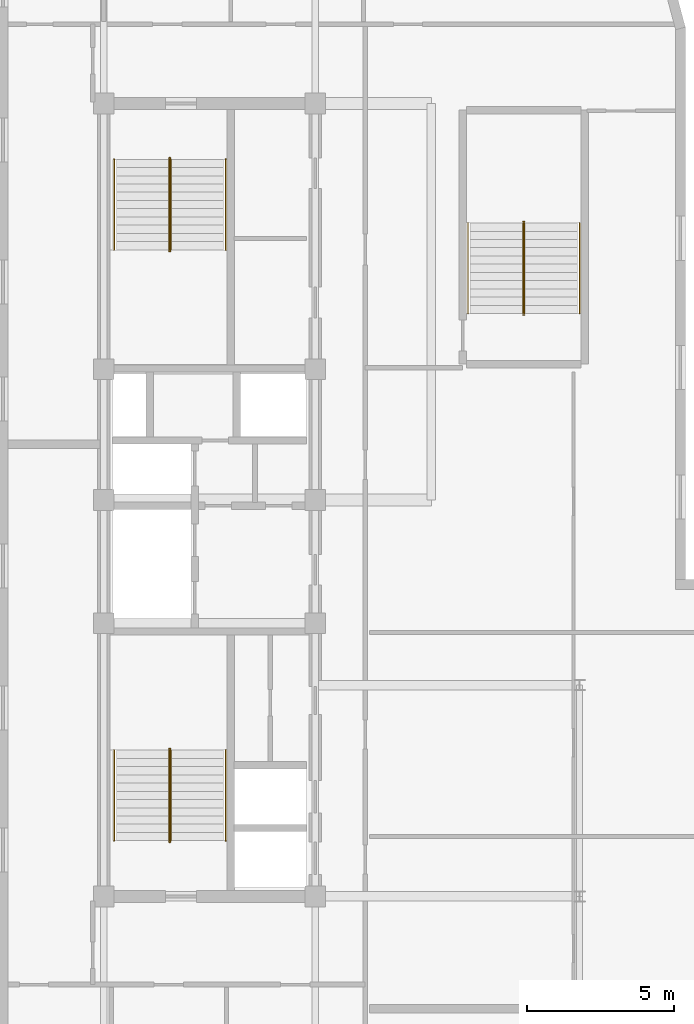
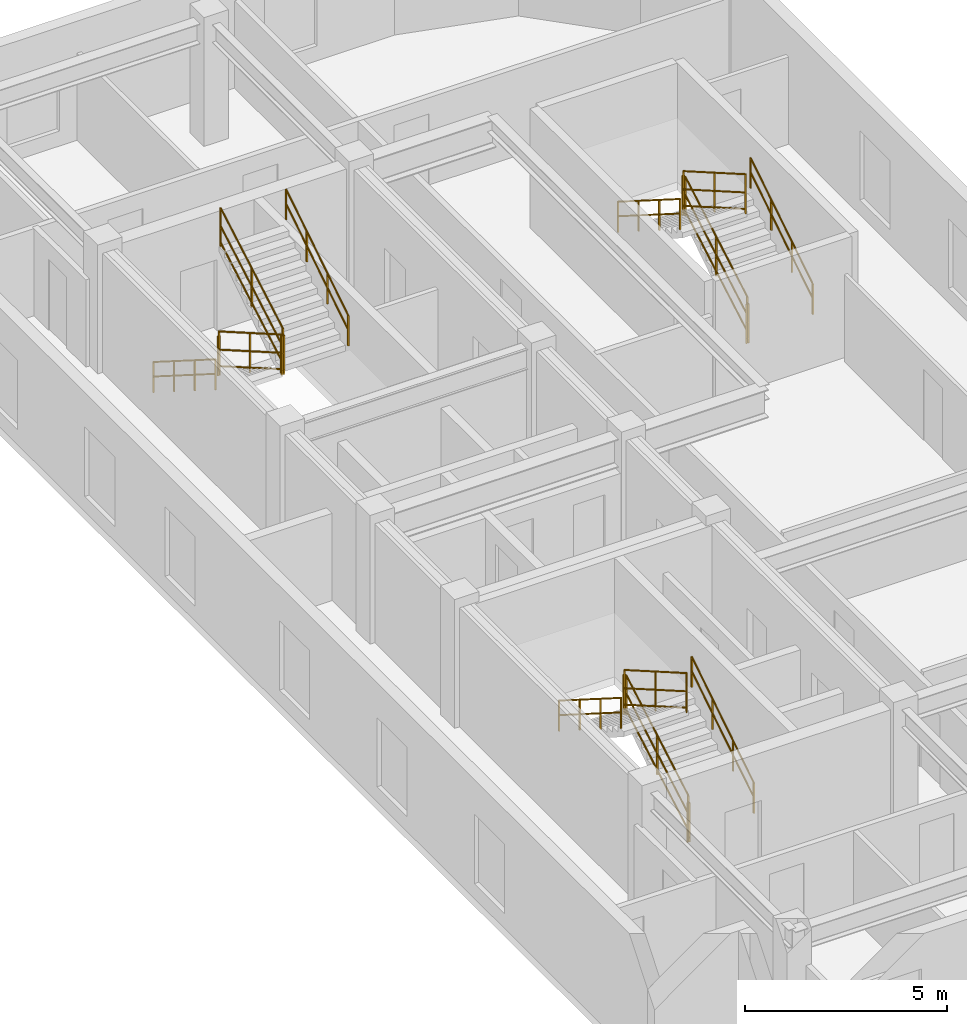
# One storey, part 6 of 6: 18 railings.
"""IFC4 building model written with IfcOpenShell, lengths in metres."""

from ifc_helpers import new_model, entity, si_unit, converted_unit, direction, frame, origin_with_axes, origin_2d_with_axis, place, context, subcontext, project, spatial, rectangle, circle, extrude, material, type_object, element, save


model = new_model("IFC4")

# Units and contexts
model_context = context("Model", 3, precision=1e-05, world=origin_with_axes(), true_north=direction((0.0, 1.0)))
body_context = subcontext(model_context, "Body", "Model", "MODEL_VIEW")
ifc_project = project(units=[si_unit("LENGTHUNIT", "METRE"), si_unit("AREAUNIT", "SQUARE_METRE"), si_unit("VOLUMEUNIT", "CUBIC_METRE"), converted_unit("PLANEANGLEUNIT", "DEGREE", entity("IfcPlaneAngleMeasure", 0.017453292519943295), si_unit("PLANEANGLEUNIT", "RADIAN"), dimensions=[0, 0, 0, 0, 0, 0, 0]), si_unit("MASSUNIT", "GRAM", prefix="KILO"), si_unit("THERMODYNAMICTEMPERATUREUNIT", "KELVIN")], contexts=[model_context])

# Site, building, storey
site_placement = place(None, origin_with_axes())
site = spatial("IfcSite", under=ifc_project, at=site_placement, CompositionType="ELEMENT")
building_placement = place(site_placement, origin_with_axes())
building = spatial("IfcBuilding", under=site, at=building_placement, Name="Varnlund Millrace Tower", CompositionType="ELEMENT")
storey_placement = place(building_placement, frame((0.0, 0.0, 299.7), z_axis=(0.0, 0.0, 1.0), x_axis=(1.0, 0.0, 0.0)))
storey = spatial("IfcBuildingStorey", under=building, at=storey_placement, Name="L74", CompositionType="ELEMENT", Elevation=299.7)

# Railings
ifc_material_1 = material(Name="Painted steel stair well balustrade guard", Category="steel")
railing_type_1 = type_object("IfcRailingType", Name="Type-StairGuard-1150", PredefinedType="GUARDRAIL", material=ifc_material_1)
railing_1_placement = place(storey_placement, frame((0.0, 0.0, -299.7), z_axis=(0.0, 0.0, 1.0), x_axis=(1.0, 0.0, 0.0)))
element("IfcRailing", 1, at=railing_1_placement, inside=storey, type_object=railing_type_1, Name="Type-StairGuard-1150", PredefinedType="GUARDRAIL", context=body_context, shape_type="SweptSolid", body=[
    extrude(circle(Radius=0.024, at=origin_2d_with_axis()), frame((13.675, 12.7, 301.027273), z_axis=(0.0, 0.866696, 0.498836), x_axis=(-1.0, 0.0, 0.0)), (0.0, 0.0, 1.0), 3.553725),
    extrude(circle(Radius=0.024, at=origin_2d_with_axis()), frame((13.675, 12.7, 299.977273), z_axis=(0.0, 0.866696, 0.498836), x_axis=(-1.0, 0.0, 0.0)), (0.0, 0.0, 1.0), 3.553725),
    extrude(circle(Radius=0.024, at=origin_2d_with_axis()), frame((13.675, 12.7, 300.475273), z_axis=(0.0, 0.866696, 0.498836), x_axis=(-1.0, 0.0, 0.0)), (0.0, 0.0, 1.0), 3.553725),
    extrude(rectangle(XDim=0.04, YDim=0.04, at=origin_2d_with_axis()), frame((13.675, 12.7, 299.837273), z_axis=(0.0, 0.0, 1.0), x_axis=(1.0, 0.0, 0.0)), (0.0, 0.0, 1.0), 1.19),
    extrude(rectangle(XDim=0.04, YDim=0.04, at=origin_2d_with_axis()), frame((13.675, 14.24, 300.723636), z_axis=(0.0, 0.0, 1.0), x_axis=(1.0, 0.0, 0.0)), (0.0, 0.0, 1.0), 1.19),
    extrude(rectangle(XDim=0.04, YDim=0.04, at=origin_2d_with_axis()), frame((13.675, 15.78, 301.61), z_axis=(0.0, 0.0, 1.0), x_axis=(1.0, 0.0, 0.0)), (0.0, 0.0, 1.0), 1.19),
])
railing_2_placement = place(storey_placement, frame((0.0, 0.0, -299.7), z_axis=(0.0, 0.0, 1.0), x_axis=(1.0, 0.0, 0.0)))
element("IfcRailing", 2, at=railing_2_placement, inside=storey, type_object=railing_type_1, Name="Type-StairGuard-1150", PredefinedType="GUARDRAIL", context=body_context, shape_type="SweptSolid", body=[
    extrude(circle(Radius=0.024, at=origin_2d_with_axis()), frame((13.625, 15.83, 302.8), z_axis=(1.0, 0.0, 0.0), x_axis=(0.0, 1.0, 0.0)), (0.0, 0.0, 1.0), 0.05),
    extrude(circle(Radius=0.024, at=origin_2d_with_axis()), frame((13.625, 15.83, 301.75), z_axis=(1.0, 0.0, 0.0), x_axis=(0.0, 1.0, 0.0)), (0.0, 0.0, 1.0), 0.05),
    extrude(circle(Radius=0.024, at=origin_2d_with_axis()), frame((13.625, 15.83, 302.248), z_axis=(1.0, 0.0, 0.0), x_axis=(0.0, 1.0, 0.0)), (0.0, 0.0, 1.0), 0.05),
    extrude(rectangle(XDim=0.04, YDim=0.04, at=origin_2d_with_axis()), frame((13.625, 15.83, 301.61), z_axis=(0.0, 0.0, 1.0), x_axis=(1.0, 0.0, 0.0)), (0.0, 0.0, 1.0), 1.19),
    extrude(rectangle(XDim=0.04, YDim=0.04, at=origin_2d_with_axis()), frame((13.675, 15.83, 301.61), z_axis=(0.0, 0.0, 1.0), x_axis=(1.0, 0.0, 0.0)), (0.0, 0.0, 1.0), 1.19),
])
railing_3_placement = place(storey_placement, frame((0.0, 0.0, -299.7), z_axis=(0.0, 0.0, 1.0), x_axis=(1.0, 0.0, 0.0)))
element("IfcRailing", 3, at=railing_3_placement, inside=storey, type_object=railing_type_1, Name="Type-StairGuard-1150", PredefinedType="GUARDRAIL", context=body_context, shape_type="SweptSolid", body=[
    extrude(circle(Radius=0.024, at=origin_2d_with_axis()), frame((13.625, 15.78, 302.977273), z_axis=(0.0, -0.866696, 0.498836), x_axis=(1.0, 0.0, 0.0)), (0.0, 0.0, 1.0), 3.553725),
    extrude(circle(Radius=0.024, at=origin_2d_with_axis()), frame((13.625, 15.78, 301.927273), z_axis=(0.0, -0.866696, 0.498836), x_axis=(1.0, 0.0, 0.0)), (0.0, 0.0, 1.0), 3.553725),
    extrude(circle(Radius=0.024, at=origin_2d_with_axis()), frame((13.625, 15.78, 302.425273), z_axis=(0.0, -0.866696, 0.498836), x_axis=(1.0, 0.0, 0.0)), (0.0, 0.0, 1.0), 3.553725),
    extrude(rectangle(XDim=0.04, YDim=0.04, at=origin_2d_with_axis()), frame((13.625, 15.78, 301.787273), z_axis=(0.0, 0.0, 1.0), x_axis=(1.0, 0.0, 0.0)), (0.0, 0.0, 1.0), 1.19),
    extrude(rectangle(XDim=0.04, YDim=0.04, at=origin_2d_with_axis()), frame((13.625, 14.24, 302.673636), z_axis=(0.0, 0.0, 1.0), x_axis=(1.0, 0.0, 0.0)), (0.0, 0.0, 1.0), 1.19),
    extrude(rectangle(XDim=0.04, YDim=0.04, at=origin_2d_with_axis()), frame((13.625, 12.7, 303.56), z_axis=(0.0, 0.0, 1.0), x_axis=(1.0, 0.0, 0.0)), (0.0, 0.0, 1.0), 1.19),
])
railing_4_placement = place(storey_placement, frame((0.0, 0.0, -299.7), z_axis=(0.0, 0.0, 1.0), x_axis=(1.0, 0.0, 0.0)))
element("IfcRailing", 4, at=railing_4_placement, inside=storey, type_object=railing_type_1, Name="Type-StairGuard-1150", PredefinedType="GUARDRAIL", context=body_context, shape_type="SweptSolid", body=[
    extrude(circle(Radius=0.024, at=origin_2d_with_axis()), frame((13.625, 12.65, 300.85), z_axis=(1.0, 0.0, 0.0), x_axis=(0.0, 1.0, 0.0)), (0.0, 0.0, 1.0), 0.05),
    extrude(circle(Radius=0.024, at=origin_2d_with_axis()), frame((13.625, 12.65, 299.8), z_axis=(1.0, 0.0, 0.0), x_axis=(0.0, 1.0, 0.0)), (0.0, 0.0, 1.0), 0.05),
    extrude(circle(Radius=0.024, at=origin_2d_with_axis()), frame((13.625, 12.65, 300.298), z_axis=(1.0, 0.0, 0.0), x_axis=(0.0, 1.0, 0.0)), (0.0, 0.0, 1.0), 0.05),
    extrude(rectangle(XDim=0.04, YDim=0.04, at=origin_2d_with_axis()), frame((13.625, 12.65, 299.66), z_axis=(0.0, 0.0, 1.0), x_axis=(1.0, 0.0, 0.0)), (0.0, 0.0, 1.0), 1.19),
    extrude(rectangle(XDim=0.04, YDim=0.04, at=origin_2d_with_axis()), frame((13.675, 12.65, 299.66), z_axis=(0.0, 0.0, 1.0), x_axis=(1.0, 0.0, 0.0)), (0.0, 0.0, 1.0), 1.19),
])
railing_5_placement = place(storey_placement, frame((0.0, 0.0, -299.7), z_axis=(0.0, 0.0, 1.0), x_axis=(1.0, 0.0, 0.0)))
element("IfcRailing", 5, at=railing_5_placement, inside=storey, type_object=railing_type_1, Name="Type-StairGuard-1150", PredefinedType="GUARDRAIL", context=body_context, shape_type="SweptSolid", body=[
    extrude(circle(Radius=0.024, at=origin_2d_with_axis()), frame((13.625, 35.9, 301.027273), z_axis=(0.0, -0.866696, 0.498836), x_axis=(1.0, 0.0, 0.0)), (0.0, 0.0, 1.0), 3.553725),
    extrude(circle(Radius=0.024, at=origin_2d_with_axis()), frame((13.625, 35.9, 299.977273), z_axis=(0.0, -0.866696, 0.498836), x_axis=(1.0, 0.0, 0.0)), (0.0, 0.0, 1.0), 3.553725),
    extrude(circle(Radius=0.024, at=origin_2d_with_axis()), frame((13.625, 35.9, 300.475273), z_axis=(0.0, -0.866696, 0.498836), x_axis=(1.0, 0.0, 0.0)), (0.0, 0.0, 1.0), 3.553725),
    extrude(rectangle(XDim=0.04, YDim=0.04, at=origin_2d_with_axis()), frame((13.625, 35.9, 299.837273), z_axis=(0.0, 0.0, 1.0), x_axis=(1.0, 0.0, 0.0)), (0.0, 0.0, 1.0), 1.19),
    extrude(rectangle(XDim=0.04, YDim=0.04, at=origin_2d_with_axis()), frame((13.625, 34.36, 300.723636), z_axis=(0.0, 0.0, 1.0), x_axis=(1.0, 0.0, 0.0)), (0.0, 0.0, 1.0), 1.19),
    extrude(rectangle(XDim=0.04, YDim=0.04, at=origin_2d_with_axis()), frame((13.625, 32.82, 301.61), z_axis=(0.0, 0.0, 1.0), x_axis=(1.0, 0.0, 0.0)), (0.0, 0.0, 1.0), 1.19),
])
railing_6_placement = place(storey_placement, frame((0.0, 0.0, -299.7), z_axis=(0.0, 0.0, 1.0), x_axis=(1.0, 0.0, 0.0)))
element("IfcRailing", 6, at=railing_6_placement, inside=storey, type_object=railing_type_1, Name="Type-StairGuard-1150", PredefinedType="GUARDRAIL", context=body_context, shape_type="SweptSolid", body=[
    extrude(circle(Radius=0.024, at=origin_2d_with_axis()), frame((13.675, 32.77, 302.8), z_axis=(-1.0, 0.0, 0.0), x_axis=(0.0, -1.0, 0.0)), (0.0, 0.0, 1.0), 0.05),
    extrude(circle(Radius=0.024, at=origin_2d_with_axis()), frame((13.675, 32.77, 301.75), z_axis=(-1.0, 0.0, 0.0), x_axis=(0.0, -1.0, 0.0)), (0.0, 0.0, 1.0), 0.05),
    extrude(circle(Radius=0.024, at=origin_2d_with_axis()), frame((13.675, 32.77, 302.248), z_axis=(-1.0, 0.0, 0.0), x_axis=(0.0, -1.0, 0.0)), (0.0, 0.0, 1.0), 0.05),
    extrude(rectangle(XDim=0.04, YDim=0.04, at=origin_2d_with_axis()), frame((13.675, 32.77, 301.61), z_axis=(0.0, 0.0, 1.0), x_axis=(1.0, 0.0, 0.0)), (0.0, 0.0, 1.0), 1.19),
    extrude(rectangle(XDim=0.04, YDim=0.04, at=origin_2d_with_axis()), frame((13.625, 32.77, 301.61), z_axis=(0.0, 0.0, 1.0), x_axis=(1.0, 0.0, 0.0)), (0.0, 0.0, 1.0), 1.19),
])
railing_7_placement = place(storey_placement, frame((0.0, 0.0, -299.7), z_axis=(0.0, 0.0, 1.0), x_axis=(1.0, 0.0, 0.0)))
element("IfcRailing", 7, at=railing_7_placement, inside=storey, type_object=railing_type_1, Name="Type-StairGuard-1150", PredefinedType="GUARDRAIL", context=body_context, shape_type="SweptSolid", body=[
    extrude(circle(Radius=0.024, at=origin_2d_with_axis()), frame((13.675, 32.82, 302.977273), z_axis=(0.0, 0.866696, 0.498836), x_axis=(-1.0, 0.0, 0.0)), (0.0, 0.0, 1.0), 3.553725),
    extrude(circle(Radius=0.024, at=origin_2d_with_axis()), frame((13.675, 32.82, 301.927273), z_axis=(0.0, 0.866696, 0.498836), x_axis=(-1.0, 0.0, 0.0)), (0.0, 0.0, 1.0), 3.553725),
    extrude(circle(Radius=0.024, at=origin_2d_with_axis()), frame((13.675, 32.82, 302.425273), z_axis=(0.0, 0.866696, 0.498836), x_axis=(-1.0, 0.0, 0.0)), (0.0, 0.0, 1.0), 3.553725),
    extrude(rectangle(XDim=0.04, YDim=0.04, at=origin_2d_with_axis()), frame((13.675, 32.82, 301.787273), z_axis=(0.0, 0.0, 1.0), x_axis=(1.0, 0.0, 0.0)), (0.0, 0.0, 1.0), 1.19),
    extrude(rectangle(XDim=0.04, YDim=0.04, at=origin_2d_with_axis()), frame((13.675, 34.36, 302.673636), z_axis=(0.0, 0.0, 1.0), x_axis=(1.0, 0.0, 0.0)), (0.0, 0.0, 1.0), 1.19),
    extrude(rectangle(XDim=0.04, YDim=0.04, at=origin_2d_with_axis()), frame((13.675, 35.9, 303.56), z_axis=(0.0, 0.0, 1.0), x_axis=(1.0, 0.0, 0.0)), (0.0, 0.0, 1.0), 1.19),
])
railing_8_placement = place(storey_placement, frame((0.0, 0.0, -299.7), z_axis=(0.0, 0.0, 1.0), x_axis=(1.0, 0.0, 0.0)))
element("IfcRailing", 8, at=railing_8_placement, inside=storey, type_object=railing_type_1, Name="Type-StairGuard-1150", PredefinedType="GUARDRAIL", context=body_context, shape_type="SweptSolid", body=[
    extrude(circle(Radius=0.024, at=origin_2d_with_axis()), frame((13.675, 35.95, 300.85), z_axis=(-1.0, 0.0, 0.0), x_axis=(0.0, -1.0, 0.0)), (0.0, 0.0, 1.0), 0.05),
    extrude(circle(Radius=0.024, at=origin_2d_with_axis()), frame((13.675, 35.95, 299.8), z_axis=(-1.0, 0.0, 0.0), x_axis=(0.0, -1.0, 0.0)), (0.0, 0.0, 1.0), 0.05),
    extrude(circle(Radius=0.024, at=origin_2d_with_axis()), frame((13.675, 35.95, 300.298), z_axis=(-1.0, 0.0, 0.0), x_axis=(0.0, -1.0, 0.0)), (0.0, 0.0, 1.0), 0.05),
    extrude(rectangle(XDim=0.04, YDim=0.04, at=origin_2d_with_axis()), frame((13.675, 35.95, 299.66), z_axis=(0.0, 0.0, 1.0), x_axis=(1.0, 0.0, 0.0)), (0.0, 0.0, 1.0), 1.19),
    extrude(rectangle(XDim=0.04, YDim=0.04, at=origin_2d_with_axis()), frame((13.625, 35.95, 299.66), z_axis=(0.0, 0.0, 1.0), x_axis=(1.0, 0.0, 0.0)), (0.0, 0.0, 1.0), 1.19),
])
railing_9_placement = place(storey_placement, frame((0.0, 0.0, -299.7), z_axis=(0.0, 0.0, 1.0), x_axis=(1.0, 0.0, 0.0)))
element("IfcRailing", 9, at=railing_9_placement, inside=storey, type_object=railing_type_1, Name="Type-StairGuard-1150", PredefinedType="GUARDRAIL", context=body_context, shape_type="SweptSolid", body=[
    extrude(circle(Radius=0.024, at=origin_2d_with_axis()), frame((25.725, 30.65, 301.027273), z_axis=(0.0, 0.866696, 0.498836), x_axis=(-1.0, 0.0, 0.0)), (0.0, 0.0, 1.0), 3.553725),
    extrude(circle(Radius=0.024, at=origin_2d_with_axis()), frame((25.725, 30.65, 299.977273), z_axis=(0.0, 0.866696, 0.498836), x_axis=(-1.0, 0.0, 0.0)), (0.0, 0.0, 1.0), 3.553725),
    extrude(circle(Radius=0.024, at=origin_2d_with_axis()), frame((25.725, 30.65, 300.475273), z_axis=(0.0, 0.866696, 0.498836), x_axis=(-1.0, 0.0, 0.0)), (0.0, 0.0, 1.0), 3.553725),
    extrude(rectangle(XDim=0.04, YDim=0.04, at=origin_2d_with_axis()), frame((25.725, 30.65, 299.837273), z_axis=(0.0, 0.0, 1.0), x_axis=(1.0, 0.0, 0.0)), (0.0, 0.0, 1.0), 1.19),
    extrude(rectangle(XDim=0.04, YDim=0.04, at=origin_2d_with_axis()), frame((25.725, 32.19, 300.723636), z_axis=(0.0, 0.0, 1.0), x_axis=(1.0, 0.0, 0.0)), (0.0, 0.0, 1.0), 1.19),
    extrude(rectangle(XDim=0.04, YDim=0.04, at=origin_2d_with_axis()), frame((25.725, 33.73, 301.61), z_axis=(0.0, 0.0, 1.0), x_axis=(1.0, 0.0, 0.0)), (0.0, 0.0, 1.0), 1.19),
])
railing_10_placement = place(storey_placement, frame((0.0, 0.0, -299.7), z_axis=(0.0, 0.0, 1.0), x_axis=(1.0, 0.0, 0.0)))
element("IfcRailing", 10, at=railing_10_placement, inside=storey, type_object=railing_type_1, Name="Type-StairGuard-1150", PredefinedType="GUARDRAIL", context=body_context, shape_type="SweptSolid", body=[
    extrude(circle(Radius=0.024, at=origin_2d_with_axis()), frame((25.675, 33.78, 302.8), z_axis=(1.0, 0.0, 0.0), x_axis=(0.0, 1.0, 0.0)), (0.0, 0.0, 1.0), 0.05),
    extrude(circle(Radius=0.024, at=origin_2d_with_axis()), frame((25.675, 33.78, 301.75), z_axis=(1.0, 0.0, 0.0), x_axis=(0.0, 1.0, 0.0)), (0.0, 0.0, 1.0), 0.05),
    extrude(circle(Radius=0.024, at=origin_2d_with_axis()), frame((25.675, 33.78, 302.248), z_axis=(1.0, 0.0, 0.0), x_axis=(0.0, 1.0, 0.0)), (0.0, 0.0, 1.0), 0.05),
    extrude(rectangle(XDim=0.04, YDim=0.04, at=origin_2d_with_axis()), frame((25.675, 33.78, 301.61), z_axis=(0.0, 0.0, 1.0), x_axis=(1.0, 0.0, 0.0)), (0.0, 0.0, 1.0), 1.19),
    extrude(rectangle(XDim=0.04, YDim=0.04, at=origin_2d_with_axis()), frame((25.725, 33.78, 301.61), z_axis=(0.0, 0.0, 1.0), x_axis=(1.0, 0.0, 0.0)), (0.0, 0.0, 1.0), 1.19),
])
railing_11_placement = place(storey_placement, frame((0.0, 0.0, -299.7), z_axis=(0.0, 0.0, 1.0), x_axis=(1.0, 0.0, 0.0)))
element("IfcRailing", 11, at=railing_11_placement, inside=storey, type_object=railing_type_1, Name="Type-StairGuard-1150", PredefinedType="GUARDRAIL", context=body_context, shape_type="SweptSolid", body=[
    extrude(circle(Radius=0.024, at=origin_2d_with_axis()), frame((25.675, 33.73, 302.977273), z_axis=(0.0, -0.866696, 0.498836), x_axis=(1.0, 0.0, 0.0)), (0.0, 0.0, 1.0), 3.553725),
    extrude(circle(Radius=0.024, at=origin_2d_with_axis()), frame((25.675, 33.73, 301.927273), z_axis=(0.0, -0.866696, 0.498836), x_axis=(1.0, 0.0, 0.0)), (0.0, 0.0, 1.0), 3.553725),
    extrude(circle(Radius=0.024, at=origin_2d_with_axis()), frame((25.675, 33.73, 302.425273), z_axis=(0.0, -0.866696, 0.498836), x_axis=(1.0, 0.0, 0.0)), (0.0, 0.0, 1.0), 3.553725),
    extrude(rectangle(XDim=0.04, YDim=0.04, at=origin_2d_with_axis()), frame((25.675, 33.73, 301.787273), z_axis=(0.0, 0.0, 1.0), x_axis=(1.0, 0.0, 0.0)), (0.0, 0.0, 1.0), 1.19),
    extrude(rectangle(XDim=0.04, YDim=0.04, at=origin_2d_with_axis()), frame((25.675, 32.19, 302.673636), z_axis=(0.0, 0.0, 1.0), x_axis=(1.0, 0.0, 0.0)), (0.0, 0.0, 1.0), 1.19),
    extrude(rectangle(XDim=0.04, YDim=0.04, at=origin_2d_with_axis()), frame((25.675, 30.65, 303.56), z_axis=(0.0, 0.0, 1.0), x_axis=(1.0, 0.0, 0.0)), (0.0, 0.0, 1.0), 1.19),
])
railing_12_placement = place(storey_placement, frame((0.0, 0.0, -299.7), z_axis=(0.0, 0.0, 1.0), x_axis=(1.0, 0.0, 0.0)))
element("IfcRailing", 12, at=railing_12_placement, inside=storey, type_object=railing_type_1, Name="Type-StairGuard-1150", PredefinedType="GUARDRAIL", context=body_context, shape_type="SweptSolid", body=[
    extrude(circle(Radius=0.024, at=origin_2d_with_axis()), frame((25.675, 30.6, 300.85), z_axis=(1.0, 0.0, 0.0), x_axis=(0.0, 1.0, 0.0)), (0.0, 0.0, 1.0), 0.05),
    extrude(circle(Radius=0.024, at=origin_2d_with_axis()), frame((25.675, 30.6, 299.8), z_axis=(1.0, 0.0, 0.0), x_axis=(0.0, 1.0, 0.0)), (0.0, 0.0, 1.0), 0.05),
    extrude(circle(Radius=0.024, at=origin_2d_with_axis()), frame((25.675, 30.6, 300.298), z_axis=(1.0, 0.0, 0.0), x_axis=(0.0, 1.0, 0.0)), (0.0, 0.0, 1.0), 0.05),
    extrude(rectangle(XDim=0.04, YDim=0.04, at=origin_2d_with_axis()), frame((25.675, 30.6, 299.66), z_axis=(0.0, 0.0, 1.0), x_axis=(1.0, 0.0, 0.0)), (0.0, 0.0, 1.0), 1.19),
    extrude(rectangle(XDim=0.04, YDim=0.04, at=origin_2d_with_axis()), frame((25.725, 30.6, 299.66), z_axis=(0.0, 0.0, 1.0), x_axis=(1.0, 0.0, 0.0)), (0.0, 0.0, 1.0), 1.19),
])
ifc_material_2 = material(Name="Brushed architectural bronze stair handrail", Category="aluminium")
railing_type_2 = type_object("IfcRailingType", Name="Type-StairHandrail-900", PredefinedType="HANDRAIL", material=ifc_material_2)
railing_13_placement = place(storey_placement, frame((0.0, 0.0, -299.7), z_axis=(0.0, 0.0, 1.0), x_axis=(1.0, 0.0, 0.0)))
element("IfcRailing", 13, at=railing_13_placement, inside=storey, type_object=railing_type_2, Name="Type-StairHandrail-900", PredefinedType="HANDRAIL", context=body_context, shape_type="SweptSolid", body=[
    extrude(circle(Radius=0.024, at=origin_2d_with_axis()), frame((15.55, 12.7, 300.756995), z_axis=(0.0, 0.844902, 0.534922), x_axis=(-1.0, 0.0, 0.0)), (0.0, 0.0, 1.0), 3.645394),
    extrude(circle(Radius=0.024, at=origin_2d_with_axis()), frame((15.55, 12.7, 300.317134), z_axis=(0.0, 0.844902, 0.534922), x_axis=(-1.0, 0.0, 0.0)), (0.0, 0.0, 1.0), 3.645394),
    extrude(rectangle(XDim=0.04, YDim=0.04, at=origin_2d_with_axis()), frame((15.55, 12.7, 299.837273), z_axis=(0.0, 0.0, 1.0), x_axis=(1.0, 0.0, 0.0)), (0.0, 0.0, 1.0), 0.919722),
    extrude(rectangle(XDim=0.04, YDim=0.04, at=origin_2d_with_axis()), frame((15.55, 13.726667, 300.487273), z_axis=(0.0, 0.0, 1.0), x_axis=(1.0, 0.0, 0.0)), (0.0, 0.0, 1.0), 0.919722),
    extrude(rectangle(XDim=0.04, YDim=0.04, at=origin_2d_with_axis()), frame((15.55, 14.753333, 301.137273), z_axis=(0.0, 0.0, 1.0), x_axis=(1.0, 0.0, 0.0)), (0.0, 0.0, 1.0), 0.919722),
    extrude(rectangle(XDim=0.04, YDim=0.04, at=origin_2d_with_axis()), frame((15.55, 15.78, 301.787273), z_axis=(0.0, 0.0, 1.0), x_axis=(1.0, 0.0, 0.0)), (0.0, 0.0, 1.0), 0.919722),
])
railing_14_placement = place(storey_placement, frame((0.0, 0.0, -299.7), z_axis=(0.0, 0.0, 1.0), x_axis=(1.0, 0.0, 0.0)))
element("IfcRailing", 14, at=railing_14_placement, inside=storey, type_object=railing_type_2, Name="Type-StairHandrail-900", PredefinedType="HANDRAIL", context=body_context, shape_type="SweptSolid", body=[
    extrude(circle(Radius=0.024, at=origin_2d_with_axis()), frame((11.75, 15.78, 302.706995), z_axis=(0.0, -0.844902, 0.534922), x_axis=(1.0, 0.0, 0.0)), (0.0, 0.0, 1.0), 3.645394),
    extrude(circle(Radius=0.024, at=origin_2d_with_axis()), frame((11.75, 15.78, 302.267134), z_axis=(0.0, -0.844902, 0.534922), x_axis=(1.0, 0.0, 0.0)), (0.0, 0.0, 1.0), 3.645394),
    extrude(rectangle(XDim=0.04, YDim=0.04, at=origin_2d_with_axis()), frame((11.75, 15.78, 301.787273), z_axis=(0.0, 0.0, 1.0), x_axis=(1.0, 0.0, 0.0)), (0.0, 0.0, 1.0), 0.919722),
    extrude(rectangle(XDim=0.04, YDim=0.04, at=origin_2d_with_axis()), frame((11.75, 14.753333, 302.437273), z_axis=(0.0, 0.0, 1.0), x_axis=(1.0, 0.0, 0.0)), (0.0, 0.0, 1.0), 0.919722),
    extrude(rectangle(XDim=0.04, YDim=0.04, at=origin_2d_with_axis()), frame((11.75, 13.726667, 303.087273), z_axis=(0.0, 0.0, 1.0), x_axis=(1.0, 0.0, 0.0)), (0.0, 0.0, 1.0), 0.919722),
    extrude(rectangle(XDim=0.04, YDim=0.04, at=origin_2d_with_axis()), frame((11.75, 12.7, 303.737273), z_axis=(0.0, 0.0, 1.0), x_axis=(1.0, 0.0, 0.0)), (0.0, 0.0, 1.0), 0.919722),
])
railing_15_placement = place(storey_placement, frame((0.0, 0.0, -299.7), z_axis=(0.0, 0.0, 1.0), x_axis=(1.0, 0.0, 0.0)))
element("IfcRailing", 15, at=railing_15_placement, inside=storey, type_object=railing_type_2, Name="Type-StairHandrail-900", PredefinedType="HANDRAIL", context=body_context, shape_type="SweptSolid", body=[
    extrude(circle(Radius=0.024, at=origin_2d_with_axis()), frame((11.75, 35.9, 300.756995), z_axis=(0.0, -0.844902, 0.534922), x_axis=(1.0, 0.0, 0.0)), (0.0, 0.0, 1.0), 3.645394),
    extrude(circle(Radius=0.024, at=origin_2d_with_axis()), frame((11.75, 35.9, 300.317134), z_axis=(0.0, -0.844902, 0.534922), x_axis=(1.0, 0.0, 0.0)), (0.0, 0.0, 1.0), 3.645394),
    extrude(rectangle(XDim=0.04, YDim=0.04, at=origin_2d_with_axis()), frame((11.75, 35.9, 299.837273), z_axis=(0.0, 0.0, 1.0), x_axis=(1.0, 0.0, 0.0)), (0.0, 0.0, 1.0), 0.919722),
    extrude(rectangle(XDim=0.04, YDim=0.04, at=origin_2d_with_axis()), frame((11.75, 34.873333, 300.487273), z_axis=(0.0, 0.0, 1.0), x_axis=(1.0, 0.0, 0.0)), (0.0, 0.0, 1.0), 0.919722),
    extrude(rectangle(XDim=0.04, YDim=0.04, at=origin_2d_with_axis()), frame((11.75, 33.846667, 301.137273), z_axis=(0.0, 0.0, 1.0), x_axis=(1.0, 0.0, 0.0)), (0.0, 0.0, 1.0), 0.919722),
    extrude(rectangle(XDim=0.04, YDim=0.04, at=origin_2d_with_axis()), frame((11.75, 32.82, 301.787273), z_axis=(0.0, 0.0, 1.0), x_axis=(1.0, 0.0, 0.0)), (0.0, 0.0, 1.0), 0.919722),
])
railing_16_placement = place(storey_placement, frame((0.0, 0.0, -299.7), z_axis=(0.0, 0.0, 1.0), x_axis=(1.0, 0.0, 0.0)))
element("IfcRailing", 16, at=railing_16_placement, inside=storey, type_object=railing_type_2, Name="Type-StairHandrail-900", PredefinedType="HANDRAIL", context=body_context, shape_type="SweptSolid", body=[
    extrude(circle(Radius=0.024, at=origin_2d_with_axis()), frame((15.55, 32.82, 302.706995), z_axis=(0.0, 0.844902, 0.534922), x_axis=(-1.0, 0.0, 0.0)), (0.0, 0.0, 1.0), 3.645394),
    extrude(circle(Radius=0.024, at=origin_2d_with_axis()), frame((15.55, 32.82, 302.267134), z_axis=(0.0, 0.844902, 0.534922), x_axis=(-1.0, 0.0, 0.0)), (0.0, 0.0, 1.0), 3.645394),
    extrude(rectangle(XDim=0.04, YDim=0.04, at=origin_2d_with_axis()), frame((15.55, 32.82, 301.787273), z_axis=(0.0, 0.0, 1.0), x_axis=(1.0, 0.0, 0.0)), (0.0, 0.0, 1.0), 0.919722),
    extrude(rectangle(XDim=0.04, YDim=0.04, at=origin_2d_with_axis()), frame((15.55, 33.846667, 302.437273), z_axis=(0.0, 0.0, 1.0), x_axis=(1.0, 0.0, 0.0)), (0.0, 0.0, 1.0), 0.919722),
    extrude(rectangle(XDim=0.04, YDim=0.04, at=origin_2d_with_axis()), frame((15.55, 34.873333, 303.087273), z_axis=(0.0, 0.0, 1.0), x_axis=(1.0, 0.0, 0.0)), (0.0, 0.0, 1.0), 0.919722),
    extrude(rectangle(XDim=0.04, YDim=0.04, at=origin_2d_with_axis()), frame((15.55, 35.9, 303.737273), z_axis=(0.0, 0.0, 1.0), x_axis=(1.0, 0.0, 0.0)), (0.0, 0.0, 1.0), 0.919722),
])
railing_17_placement = place(storey_placement, frame((0.0, 0.0, -299.7), z_axis=(0.0, 0.0, 1.0), x_axis=(1.0, 0.0, 0.0)))
element("IfcRailing", 17, at=railing_17_placement, inside=storey, type_object=railing_type_2, Name="Type-StairHandrail-900", PredefinedType="HANDRAIL", context=body_context, shape_type="SweptSolid", body=[
    extrude(circle(Radius=0.024, at=origin_2d_with_axis()), frame((27.6, 30.65, 300.756995), z_axis=(0.0, 0.844902, 0.534922), x_axis=(-1.0, 0.0, 0.0)), (0.0, 0.0, 1.0), 3.645394),
    extrude(circle(Radius=0.024, at=origin_2d_with_axis()), frame((27.6, 30.65, 300.317134), z_axis=(0.0, 0.844902, 0.534922), x_axis=(-1.0, 0.0, 0.0)), (0.0, 0.0, 1.0), 3.645394),
    extrude(rectangle(XDim=0.04, YDim=0.04, at=origin_2d_with_axis()), frame((27.6, 30.65, 299.837273), z_axis=(0.0, 0.0, 1.0), x_axis=(1.0, 0.0, 0.0)), (0.0, 0.0, 1.0), 0.919722),
    extrude(rectangle(XDim=0.04, YDim=0.04, at=origin_2d_with_axis()), frame((27.6, 31.676667, 300.487273), z_axis=(0.0, 0.0, 1.0), x_axis=(1.0, 0.0, 0.0)), (0.0, 0.0, 1.0), 0.919722),
    extrude(rectangle(XDim=0.04, YDim=0.04, at=origin_2d_with_axis()), frame((27.6, 32.703333, 301.137273), z_axis=(0.0, 0.0, 1.0), x_axis=(1.0, 0.0, 0.0)), (0.0, 0.0, 1.0), 0.919722),
    extrude(rectangle(XDim=0.04, YDim=0.04, at=origin_2d_with_axis()), frame((27.6, 33.73, 301.787273), z_axis=(0.0, 0.0, 1.0), x_axis=(1.0, 0.0, 0.0)), (0.0, 0.0, 1.0), 0.919722),
])
railing_18_placement = place(storey_placement, frame((0.0, 0.0, -299.7), z_axis=(0.0, 0.0, 1.0), x_axis=(1.0, 0.0, 0.0)))
element("IfcRailing", 18, at=railing_18_placement, inside=storey, type_object=railing_type_2, Name="Type-StairHandrail-900", PredefinedType="HANDRAIL", context=body_context, shape_type="SweptSolid", body=[
    extrude(circle(Radius=0.024, at=origin_2d_with_axis()), frame((23.8, 33.73, 302.706995), z_axis=(0.0, -0.844902, 0.534922), x_axis=(1.0, 0.0, 0.0)), (0.0, 0.0, 1.0), 3.645394),
    extrude(circle(Radius=0.024, at=origin_2d_with_axis()), frame((23.8, 33.73, 302.267134), z_axis=(0.0, -0.844902, 0.534922), x_axis=(1.0, 0.0, 0.0)), (0.0, 0.0, 1.0), 3.645394),
    extrude(rectangle(XDim=0.04, YDim=0.04, at=origin_2d_with_axis()), frame((23.8, 33.73, 301.787273), z_axis=(0.0, 0.0, 1.0), x_axis=(1.0, 0.0, 0.0)), (0.0, 0.0, 1.0), 0.919722),
    extrude(rectangle(XDim=0.04, YDim=0.04, at=origin_2d_with_axis()), frame((23.8, 32.703333, 302.437273), z_axis=(0.0, 0.0, 1.0), x_axis=(1.0, 0.0, 0.0)), (0.0, 0.0, 1.0), 0.919722),
    extrude(rectangle(XDim=0.04, YDim=0.04, at=origin_2d_with_axis()), frame((23.8, 31.676667, 303.087273), z_axis=(0.0, 0.0, 1.0), x_axis=(1.0, 0.0, 0.0)), (0.0, 0.0, 1.0), 0.919722),
    extrude(rectangle(XDim=0.04, YDim=0.04, at=origin_2d_with_axis()), frame((23.8, 30.65, 303.737273), z_axis=(0.0, 0.0, 1.0), x_axis=(1.0, 0.0, 0.0)), (0.0, 0.0, 1.0), 0.919722),
])

save(model, "model.ifc")
